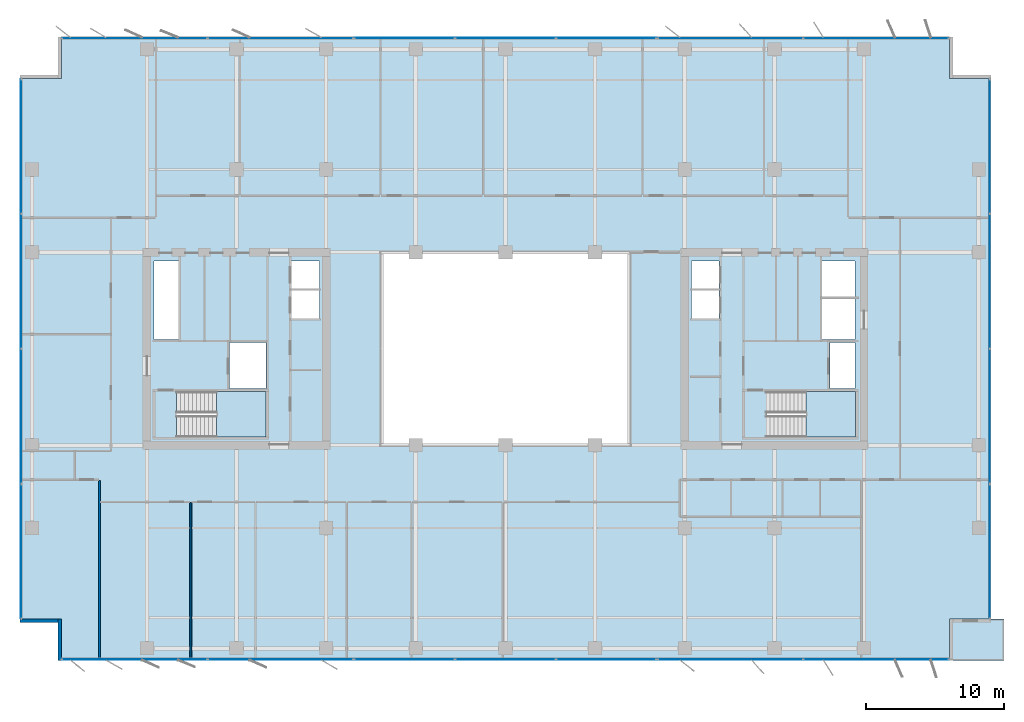
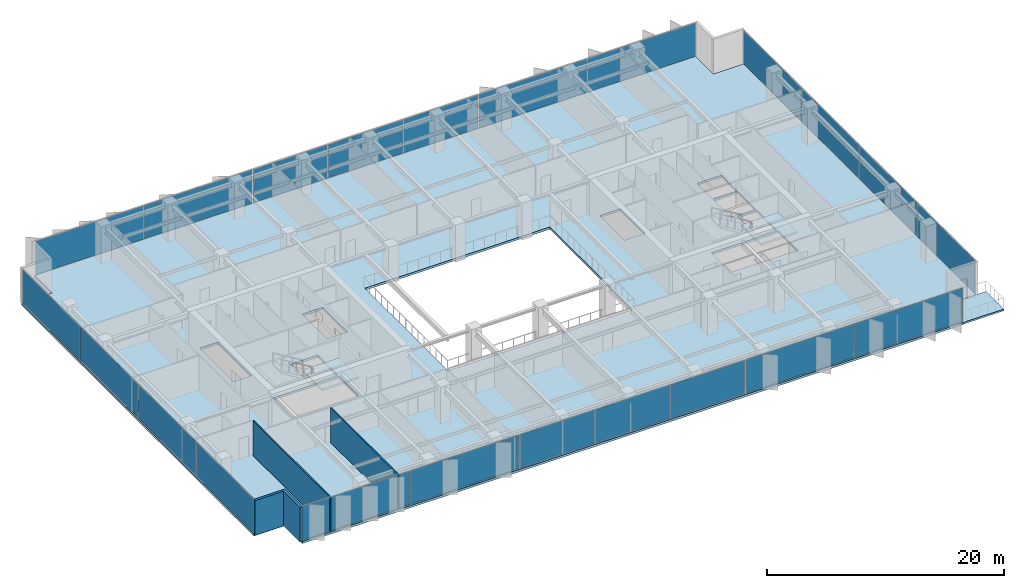
# One storey, part 14 of 22: 22 plates, 4 slabs, 4 walls, 10 elements without a shape of their own.
"""IFC4 building model written with IfcOpenShell, lengths in metres."""

from ifc_helpers import new_model, si_unit, direction, frame, frame_2d, origin, origin_2d, place, context, subcontext, project, spatial, polyline, rectangle, outline, extrude, material, layer, layer_set, type_object, element, aggregate, save


model = new_model("IFC4")

# Units and contexts
model_context = context("Model", 3, precision=1e-05, world=origin(), true_north=direction((0.0, 1.0)))
body_context = subcontext(model_context, "Body", "Model", "MODEL_VIEW")
ifc_project = project(units=[si_unit("LENGTHUNIT", "METRE"), si_unit("AREAUNIT", "SQUARE_METRE"), si_unit("VOLUMEUNIT", "CUBIC_METRE"), si_unit("PLANEANGLEUNIT", "RADIAN"), si_unit("MASSUNIT", "GRAM", prefix="KILO")], contexts=[model_context])

# Site, building, storey
site_placement = place(None, origin())
site = spatial("IfcSite", under=ifc_project, at=site_placement, CompositionType="ELEMENT")
building_placement = place(site_placement, origin())
building = spatial("IfcBuilding", under=site, at=building_placement, Name="Putna Gate Headquarters", CompositionType="ELEMENT")
storey_placement = place(building_placement, frame((0.0, 0.0, 178.39990234375)))
storey = spatial("IfcBuildingStorey", under=building, at=storey_placement, Name="L44", CompositionType="ELEMENT", Elevation=178.39990234375)

# Stair, slab
ifc_material_1 = material(Name="Concrete C40/50", Category="concrete")
stair_type_1 = type_object("IfcStairType", Name="STAIR-ST1", PredefinedType="HALF_TURN_STAIR", material=ifc_material_1)
stair_1_placement = place(storey_placement, origin())
stair_1 = element("IfcStair", 1, at=stair_1_placement, inside=storey, type_object=stair_type_1, Name="L44 West Core Exit Stair ST1", PredefinedType="HALF_TURN_STAIR")
ifc_layer_1 = layer(ifc_material_1, 0.199951171875)
ifc_layer_set_1 = layer_set([ifc_layer_1], Name="Concrete C40/50")
slab_type_1 = type_object("IfcSlabType", Name="LANDING-ST1", PredefinedType="LANDING", material=ifc_layer_set_1)
slab_1_placement = place(storey_placement, frame((0.0, 0.0, 1.7001953125)))
slab_1 = element("IfcSlab", 2, at=slab_1_placement, type_object=slab_type_1, Name="ST1 landing 1", PredefinedType="LANDING", context=body_context, shape_type="SweptSolid", body=[
    extrude(outline(polyline([(18.050048828125, 19.60009765625), (21.64990234375, 19.60009765625), (21.64990234375, 22.89990234375), (18.050048828125, 22.89990234375), (18.050048828125, 19.60009765625)])), origin(), (0.0, 0.0, 1.0), 0.199951171875),
])
aggregate(stair_1, [slab_1])

stair_type_2 = type_object("IfcStairType", Name="STAIR-ST2", PredefinedType="HALF_TURN_STAIR", material=ifc_material_1)
stair_2_placement = place(storey_placement, origin())
stair_2 = element("IfcStair", 3, at=stair_2_placement, inside=storey, type_object=stair_type_2, Name="L44 East Core Exit Stair ST2", PredefinedType="HALF_TURN_STAIR")
ifc_layer_2 = layer(ifc_material_1, 0.199951171875)
ifc_layer_set_2 = layer_set([ifc_layer_2], Name="Concrete C40/50")
slab_type_2 = type_object("IfcSlabType", Name="LANDING-ST2", PredefinedType="LANDING", material=ifc_layer_set_2)
slab_2_placement = place(storey_placement, frame((0.0, 0.0, 1.7001953125)))
slab_2 = element("IfcSlab", 4, at=slab_2_placement, type_object=slab_type_2, Name="ST2 landing 1", PredefinedType="LANDING", context=body_context, shape_type="SweptSolid", body=[
    extrude(outline(polyline([(60.800048828125, 19.60009765625), (64.39990234375, 19.60009765625), (64.39990234375, 22.89990234375), (60.800048828125, 22.89990234375), (60.800048828125, 19.60009765625)])), origin(), (0.0, 0.0, 1.0), 0.199951171875),
])
aggregate(stair_2, [slab_2])

# Curtain wall, plates
ifc_material_2 = material(Name="Anodised bronze aluminium curtain wall", Category="aluminium")
ifc_layer_3 = layer(ifc_material_2, 0.159912109375)
ifc_layer_set_3 = layer_set([ifc_layer_3], Name="Anodised bronze aluminium curtain wall")
curtain_wall_type_1 = type_object("IfcCurtainWallType", Name="CW-SYS-Z3", PredefinedType="USERDEFINED", material=ifc_layer_set_3)
curtain_wall_1_placement = place(storey_placement, origin())
curtain_wall_1 = element("IfcCurtainWall", 5, at=curtain_wall_1_placement, inside=storey, type_object=curtain_wall_type_1, Name="L44 South West Curtain Wall", ObjectType="STICK CURTAIN WALL", PredefinedType="USERDEFINED")
ifc_material_3 = material(Name="Solar-control triple low-E glass", Category="glass")
ifc_layer_4 = layer(ifc_material_3, 0.028076171875)
ifc_layer_set_4 = layer_set([ifc_layer_4], Name="Solar-control triple low-E glass")
plate_type_1 = type_object("IfcPlateType", Name="PAN-CWP-3", PredefinedType="CURTAIN_PANEL", material=ifc_layer_set_4)
plate_1_placement = place(storey_placement, frame((12.1162109375, 3.47998046875, 0.06005859375), z_axis=(0.0, 0.0, 1.0), x_axis=(1.0, 0.0, 0.0)))
plate_1 = element("IfcPlate", 6, at=plate_1_placement, type_object=plate_type_1, Name="CWS-3 panel 1.1", PredefinedType="CURTAIN_PANEL", context=body_context, shape_type="SweptSolid", body=[
    extrude(rectangle(XDim=10.50244140625, YDim=0.028076171875, at=origin_2d()), origin(), (0.0, 0.0, 1.0), 3.451904296875),
])
plate_2_placement = place(storey_placement, frame((22.683837890625, 3.47998046875, 0.06005859375), z_axis=(0.0, 0.0, 1.0), x_axis=(1.0, 0.0, 0.0)))
plate_2 = element("IfcPlate", 7, at=plate_2_placement, type_object=plate_type_1, Name="CWS-3 panel 2.1", PredefinedType="CURTAIN_PANEL", context=body_context, shape_type="SweptSolid", body=[
    extrude(rectangle(XDim=10.50244140625, YDim=0.028076171875, at=origin_2d()), origin(), (0.0, 0.0, 1.0), 3.451904296875),
])
aggregate(curtain_wall_1, [plate_1, plate_2])

curtain_wall_2_placement = place(storey_placement, origin())
curtain_wall_2 = element("IfcCurtainWall", 8, at=curtain_wall_2_placement, inside=storey, type_object=curtain_wall_type_1, Name="L44 South East Curtain Wall", ObjectType="STICK CURTAIN WALL", PredefinedType="USERDEFINED")
plate_3_placement = place(storey_placement, frame((55.316162109375, 3.47998046875, 0.06005859375), z_axis=(0.0, 0.0, 1.0), x_axis=(1.0, 0.0, 0.0)))
plate_3 = element("IfcPlate", 9, at=plate_3_placement, type_object=plate_type_1, Name="CWS-3 panel 1.1", PredefinedType="CURTAIN_PANEL", context=body_context, shape_type="SweptSolid", body=[
    extrude(rectangle(XDim=10.50244140625, YDim=0.028076171875, at=origin_2d()), origin(), (0.0, 0.0, 1.0), 3.451904296875),
])
plate_4_placement = place(storey_placement, frame((65.8837890625, 3.47998046875, 0.06005859375), z_axis=(0.0, 0.0, 1.0), x_axis=(1.0, 0.0, 0.0)))
plate_4 = element("IfcPlate", 10, at=plate_4_placement, type_object=plate_type_1, Name="CWS-3 panel 2.1", PredefinedType="CURTAIN_PANEL", context=body_context, shape_type="SweptSolid", body=[
    extrude(rectangle(XDim=10.50244140625, YDim=0.028076171875, at=origin_2d()), origin(), (0.0, 0.0, 1.0), 3.451904296875),
])
aggregate(curtain_wall_2, [plate_3, plate_4])

curtain_wall_3_placement = place(storey_placement, origin())
curtain_wall_3 = element("IfcCurtainWall", 11, at=curtain_wall_3_placement, inside=storey, type_object=curtain_wall_type_1, Name="L44 North West Curtain Wall", ObjectType="STICK CURTAIN WALL", PredefinedType="USERDEFINED")
plate_5_placement = place(storey_placement, frame((12.1162109375, 48.52001953125, 0.06005859375), z_axis=(0.0, 0.0, 1.0), x_axis=(1.0, 0.0, 0.0)))
plate_5 = element("IfcPlate", 12, at=plate_5_placement, type_object=plate_type_1, Name="CWS-3 panel 1.1", PredefinedType="CURTAIN_PANEL", context=body_context, shape_type="SweptSolid", body=[
    extrude(rectangle(XDim=10.50244140625, YDim=0.028076171875, at=origin_2d()), origin(), (0.0, 0.0, 1.0), 3.451904296875),
])
plate_6_placement = place(storey_placement, frame((22.683837890625, 48.52001953125, 0.06005859375), z_axis=(0.0, 0.0, 1.0), x_axis=(1.0, 0.0, 0.0)))
plate_6 = element("IfcPlate", 13, at=plate_6_placement, type_object=plate_type_1, Name="CWS-3 panel 2.1", PredefinedType="CURTAIN_PANEL", context=body_context, shape_type="SweptSolid", body=[
    extrude(rectangle(XDim=10.50244140625, YDim=0.028076171875, at=origin_2d()), origin(), (0.0, 0.0, 1.0), 3.451904296875),
])
aggregate(curtain_wall_3, [plate_5, plate_6])

curtain_wall_4_placement = place(storey_placement, origin())
curtain_wall_4 = element("IfcCurtainWall", 14, at=curtain_wall_4_placement, inside=storey, type_object=curtain_wall_type_1, Name="L44 North East Curtain Wall", ObjectType="STICK CURTAIN WALL", PredefinedType="USERDEFINED")
plate_7_placement = place(storey_placement, frame((55.316162109375, 48.52001953125, 0.06005859375), z_axis=(0.0, 0.0, 1.0), x_axis=(1.0, 0.0, 0.0)))
plate_7 = element("IfcPlate", 15, at=plate_7_placement, type_object=plate_type_1, Name="CWS-3 panel 1.1", PredefinedType="CURTAIN_PANEL", context=body_context, shape_type="SweptSolid", body=[
    extrude(rectangle(XDim=10.50244140625, YDim=0.028076171875, at=origin_2d()), origin(), (0.0, 0.0, 1.0), 3.451904296875),
])
plate_8_placement = place(storey_placement, frame((65.8837890625, 48.52001953125, 0.06005859375), z_axis=(0.0, 0.0, 1.0), x_axis=(1.0, 0.0, 0.0)))
plate_8 = element("IfcPlate", 16, at=plate_8_placement, type_object=plate_type_1, Name="CWS-3 panel 2.1", PredefinedType="CURTAIN_PANEL", context=body_context, shape_type="SweptSolid", body=[
    extrude(rectangle(XDim=10.50244140625, YDim=0.028076171875, at=origin_2d()), origin(), (0.0, 0.0, 1.0), 3.451904296875),
])
aggregate(curtain_wall_4, [plate_7, plate_8])

curtain_wall_5_placement = place(storey_placement, origin())
curtain_wall_5 = element("IfcCurtainWall", 17, at=curtain_wall_5_placement, inside=storey, type_object=curtain_wall_type_1, Name="L44 West Curtain Wall", ObjectType="STICK CURTAIN WALL", PredefinedType="USERDEFINED")
plate_9_placement = place(storey_placement, frame((3.8798828125, 11.316162109375, 0.06005859375), z_axis=(0.0, 0.0, 1.0), x_axis=(0.0, 1.0, 0.0)))
plate_9 = element("IfcPlate", 18, at=plate_9_placement, type_object=plate_type_1, Name="CWS-3 panel 1.1", PredefinedType="CURTAIN_PANEL", context=body_context, shape_type="SweptSolid", body=[
    extrude(rectangle(XDim=9.702392578125, YDim=0.028076171875, at=origin_2d()), origin(), (0.0, 0.0, 1.0), 3.451904296875),
])
plate_10_placement = place(storey_placement, frame((3.8798828125, 21.10009765625, 0.06005859375), z_axis=(0.0, 0.0, 1.0), x_axis=(0.0, 1.0, 0.0)))
plate_10 = element("IfcPlate", 19, at=plate_10_placement, type_object=plate_type_1, Name="CWS-3 panel 2.1", PredefinedType="CURTAIN_PANEL", context=body_context, shape_type="SweptSolid", body=[
    extrude(rectangle(XDim=9.735107421875, YDim=0.028076171875, at=origin_2d()), origin(), (0.0, 0.0, 1.0), 3.451904296875),
])
plate_11_placement = place(storey_placement, frame((3.8798828125, 30.89990234375, 0.06005859375), z_axis=(0.0, 0.0, 1.0), x_axis=(0.0, 1.0, 0.0)))
plate_11 = element("IfcPlate", 20, at=plate_11_placement, type_object=plate_type_1, Name="CWS-3 panel 3.1", PredefinedType="CURTAIN_PANEL", context=body_context, shape_type="SweptSolid", body=[
    extrude(rectangle(XDim=9.735107421875, YDim=0.028076171875, at=origin_2d()), origin(), (0.0, 0.0, 1.0), 3.451904296875),
])
plate_12_placement = place(storey_placement, frame((3.8798828125, 40.683837890625, 0.06005859375), z_axis=(0.0, 0.0, 1.0), x_axis=(0.0, 1.0, 0.0)))
plate_12 = element("IfcPlate", 21, at=plate_12_placement, type_object=plate_type_1, Name="CWS-3 panel 4.1", PredefinedType="CURTAIN_PANEL", context=body_context, shape_type="SweptSolid", body=[
    extrude(rectangle(XDim=9.702392578125, YDim=0.028076171875, at=origin_2d()), origin(), (0.0, 0.0, 1.0), 3.451904296875),
])
aggregate(curtain_wall_5, [plate_9, plate_10, plate_11, plate_12])

curtain_wall_6_placement = place(storey_placement, origin())
curtain_wall_6 = element("IfcCurtainWall", 22, at=curtain_wall_6_placement, inside=storey, type_object=curtain_wall_type_1, Name="L44 East Curtain Wall", ObjectType="STICK CURTAIN WALL", PredefinedType="USERDEFINED")
plate_13_placement = place(storey_placement, frame((74.1201171875, 11.316162109375, 0.06005859375), z_axis=(0.0, 0.0, 1.0), x_axis=(0.0, 1.0, 0.0)))
plate_13 = element("IfcPlate", 23, at=plate_13_placement, type_object=plate_type_1, Name="CWS-3 panel 1.1", PredefinedType="CURTAIN_PANEL", context=body_context, shape_type="SweptSolid", body=[
    extrude(rectangle(XDim=9.702392578125, YDim=0.028076171875, at=origin_2d()), origin(), (0.0, 0.0, 1.0), 3.451904296875),
])
plate_14_placement = place(storey_placement, frame((74.1201171875, 21.10009765625, 0.06005859375), z_axis=(0.0, 0.0, 1.0), x_axis=(0.0, 1.0, 0.0)))
plate_14 = element("IfcPlate", 24, at=plate_14_placement, type_object=plate_type_1, Name="CWS-3 panel 2.1", PredefinedType="CURTAIN_PANEL", context=body_context, shape_type="SweptSolid", body=[
    extrude(rectangle(XDim=9.735107421875, YDim=0.028076171875, at=origin_2d()), origin(), (0.0, 0.0, 1.0), 3.451904296875),
])
plate_15_placement = place(storey_placement, frame((74.1201171875, 30.89990234375, 0.06005859375), z_axis=(0.0, 0.0, 1.0), x_axis=(0.0, 1.0, 0.0)))
plate_15 = element("IfcPlate", 25, at=plate_15_placement, type_object=plate_type_1, Name="CWS-3 panel 3.1", PredefinedType="CURTAIN_PANEL", context=body_context, shape_type="SweptSolid", body=[
    extrude(rectangle(XDim=9.735107421875, YDim=0.028076171875, at=origin_2d()), origin(), (0.0, 0.0, 1.0), 3.451904296875),
])
plate_16_placement = place(storey_placement, frame((74.1201171875, 40.683837890625, 0.06005859375), z_axis=(0.0, 0.0, 1.0), x_axis=(0.0, 1.0, 0.0)))
plate_16 = element("IfcPlate", 26, at=plate_16_placement, type_object=plate_type_1, Name="CWS-3 panel 4.1", PredefinedType="CURTAIN_PANEL", context=body_context, shape_type="SweptSolid", body=[
    extrude(rectangle(XDim=9.702392578125, YDim=0.028076171875, at=origin_2d()), origin(), (0.0, 0.0, 1.0), 3.451904296875),
])
aggregate(curtain_wall_6, [plate_13, plate_14, plate_15, plate_16])

ifc_layer_5 = layer(ifc_material_2, 0.179931640625)
ifc_layer_set_5 = layer_set([ifc_layer_5], Name="Anodised bronze aluminium curtain wall")
curtain_wall_type_2 = type_object("IfcCurtainWallType", Name="CW-SYS-ATR", PredefinedType="USERDEFINED", material=ifc_layer_set_5)
curtain_wall_7_placement = place(storey_placement, origin())
curtain_wall_7 = element("IfcCurtainWall", 27, at=curtain_wall_7_placement, inside=storey, type_object=curtain_wall_type_2, Name="L44 South Atrium Clear Glazing", ObjectType="ATRIUM GLAZING", PredefinedType="USERDEFINED")
ifc_material_4 = material(Name="Clear low-iron triple glazing", Category="glass")
ifc_layer_6 = layer(ifc_material_4, 0.0400390625)
ifc_layer_set_6 = layer_set([ifc_layer_6], Name="Clear low-iron triple glazing")
plate_type_2 = type_object("IfcPlateType", Name="PAN-CWP-AT", PredefinedType="CURTAIN_PANEL", material=ifc_layer_set_6)
plate_17_placement = place(storey_placement, frame((31.68408203125, 3.47998046875, 0.0703125), z_axis=(0.0, 0.0, 1.0), x_axis=(1.0, 0.0, 0.0)))
plate_17 = element("IfcPlate", 28, at=plate_17_placement, type_object=plate_type_2, Name="CWS-AT panel 1.1", PredefinedType="CURTAIN_PANEL", context=body_context, shape_type="SweptSolid", body=[
    extrude(rectangle(XDim=7.228271484375, YDim=0.0400390625, at=origin_2d()), origin(), (0.0, 0.0, 1.0), 3.431884765625),
])
plate_18_placement = place(storey_placement, frame((39.0, 3.47998046875, 0.0703125), z_axis=(0.0, 0.0, 1.0), x_axis=(1.0, 0.0, 0.0)))
plate_18 = element("IfcPlate", 29, at=plate_18_placement, type_object=plate_type_2, Name="CWS-AT panel 2.1", PredefinedType="CURTAIN_PANEL", context=body_context, shape_type="SweptSolid", body=[
    extrude(rectangle(XDim=7.263427734375, YDim=0.0400390625, at=origin_2d()), origin(), (0.0, 0.0, 1.0), 3.431884765625),
])
plate_19_placement = place(storey_placement, frame((46.31591796875, 3.47998046875, 0.0703125), z_axis=(0.0, 0.0, 1.0), x_axis=(1.0, 0.0, 0.0)))
plate_19 = element("IfcPlate", 30, at=plate_19_placement, type_object=plate_type_2, Name="CWS-AT panel 3.1", PredefinedType="CURTAIN_PANEL", context=body_context, shape_type="SweptSolid", body=[
    extrude(rectangle(XDim=7.228271484375, YDim=0.0400390625, at=origin_2d()), origin(), (0.0, 0.0, 1.0), 3.431884765625),
])
aggregate(curtain_wall_7, [plate_17, plate_18, plate_19])

curtain_wall_8_placement = place(storey_placement, origin())
curtain_wall_8 = element("IfcCurtainWall", 31, at=curtain_wall_8_placement, inside=storey, type_object=curtain_wall_type_2, Name="L44 North Atrium Clear Glazing", ObjectType="ATRIUM GLAZING", PredefinedType="USERDEFINED")
plate_20_placement = place(storey_placement, frame((31.68408203125, 48.52001953125, 0.0703125), z_axis=(0.0, 0.0, 1.0), x_axis=(1.0, 0.0, 0.0)))
plate_20 = element("IfcPlate", 32, at=plate_20_placement, type_object=plate_type_2, Name="CWS-AT panel 1.1", PredefinedType="CURTAIN_PANEL", context=body_context, shape_type="SweptSolid", body=[
    extrude(rectangle(XDim=7.228271484375, YDim=0.0400390625, at=origin_2d()), origin(), (0.0, 0.0, 1.0), 3.431884765625),
])
plate_21_placement = place(storey_placement, frame((39.0, 48.52001953125, 0.0703125), z_axis=(0.0, 0.0, 1.0), x_axis=(1.0, 0.0, 0.0)))
plate_21 = element("IfcPlate", 33, at=plate_21_placement, type_object=plate_type_2, Name="CWS-AT panel 2.1", PredefinedType="CURTAIN_PANEL", context=body_context, shape_type="SweptSolid", body=[
    extrude(rectangle(XDim=7.263427734375, YDim=0.0400390625, at=origin_2d()), origin(), (0.0, 0.0, 1.0), 3.431884765625),
])
plate_22_placement = place(storey_placement, frame((46.31591796875, 48.52001953125, 0.0703125), z_axis=(0.0, 0.0, 1.0), x_axis=(1.0, 0.0, 0.0)))
plate_22 = element("IfcPlate", 34, at=plate_22_placement, type_object=plate_type_2, Name="CWS-AT panel 3.1", PredefinedType="CURTAIN_PANEL", context=body_context, shape_type="SweptSolid", body=[
    extrude(rectangle(XDim=7.228271484375, YDim=0.0400390625, at=origin_2d()), origin(), (0.0, 0.0, 1.0), 3.431884765625),
])
aggregate(curtain_wall_8, [plate_20, plate_21, plate_22])

# Slabs
ifc_layer_7 = layer(ifc_material_1, 0.179931640625)
ifc_layer_set_7 = layer_set([ifc_layer_7], Name="Concrete C40/50")
slab_type_3 = type_object("IfcSlabType", Name="SLAB-TERRACE-180", PredefinedType="FLOOR", material=ifc_layer_set_7)
slab_3_placement = place(storey_placement, frame((0.0, 0.0, -0.179931640625)))
element("IfcSlab", 35, at=slab_3_placement, inside=storey, type_object=slab_type_3, Name="L44 Spiral Sky-Garden Terrace Slab (SE)", PredefinedType="FLOOR", context=body_context, shape_type="SweptSolid", body=[
    extrude(outline(polyline([(71.19189453125, 3.39990234375), (75.14990234375, 3.39990234375), (75.14990234375, 6.407958984375), (71.19189453125, 6.407958984375), (71.19189453125, 3.39990234375)])), origin(), (0.0, 0.0, 1.0), 0.179931640625),
])
ifc_layer_8 = layer(ifc_material_1, 0.22802734375)
ifc_layer_set_8 = layer_set([ifc_layer_8], Name="Concrete C40/50")
slab_type_4 = type_object("IfcSlabType", Name="SLAB-Z3-228", PredefinedType="FLOOR", material=ifc_layer_set_8)
slab_4_placement = place(storey_placement, frame((0.0, 0.0, -0.227783203125)))
element("IfcSlab", 36, at=slab_4_placement, inside=storey, type_object=slab_type_4, Name="L44 Composite Floor Slab", PredefinedType="FLOOR", context=body_context, shape_type="SweptSolid", body=[
    extrude(outline(polyline([(6.800048828125, 3.39990234375), (71.199951171875, 3.39990234375), (71.199951171875, 6.39990234375), (74.199951171875, 6.39990234375), (74.199951171875, 45.60009765625), (71.199951171875, 45.60009765625), (71.199951171875, 48.60009765625), (6.800048828125, 48.60009765625), (6.800048828125, 45.60009765625), (3.800048828125, 45.60009765625), (3.800048828125, 6.39990234375), (6.800048828125, 6.39990234375), (6.800048828125, 3.39990234375)]), holes=[polyline([(15.1650390625, 19.60009765625), (21.64990234375, 19.60009765625), (21.64990234375, 22.89990234375), (15.1650390625, 22.89990234375), (15.1650390625, 19.60009765625)]), polyline([(57.9150390625, 19.60009765625), (64.39990234375, 19.60009765625), (64.39990234375, 22.89990234375), (57.9150390625, 22.89990234375), (57.9150390625, 19.60009765625)]), polyline([(13.52001953125, 26.659912109375), (15.280029296875, 26.659912109375), (15.280029296875, 32.35009765625), (13.52001953125, 32.35009765625), (13.52001953125, 26.659912109375)]), polyline([(61.969970703125, 29.780029296875), (64.35009765625, 29.780029296875), (64.35009765625, 32.35009765625), (61.969970703125, 32.35009765625), (61.969970703125, 29.780029296875)]), polyline([(18.97998046875, 23.1201171875), (21.6201171875, 23.1201171875), (21.6201171875, 26.4599609375), (18.97998046875, 26.4599609375), (18.97998046875, 23.1201171875)]), polyline([(62.52001953125, 23.1201171875), (64.35009765625, 23.1201171875), (64.35009765625, 26.4599609375), (62.52001953125, 26.4599609375), (62.52001953125, 23.1201171875)]), polyline([(61.969970703125, 26.659912109375), (64.35009765625, 26.659912109375), (64.35009765625, 29.6201171875), (61.969970703125, 29.6201171875), (61.969970703125, 26.659912109375)]), polyline([(23.5, 28.199951171875), (25.5, 28.199951171875), (25.5, 32.35009765625), (23.5, 32.35009765625), (23.5, 28.199951171875)]), polyline([(52.47998046875, 28.199951171875), (54.5, 28.199951171875), (54.5, 32.35009765625), (52.47998046875, 32.35009765625), (52.47998046875, 28.199951171875)]), polyline([(30.0, 19.0), (48.0, 19.0), (48.0, 33.0), (30.0, 33.0), (30.0, 19.0)])]), origin(), (0.0, 0.0, 1.0), 0.227783203125),
])

# Walls
ifc_material_5 = material(Name="Precast concrete C40/50", Category="concrete")
ifc_layer_9 = layer(ifc_material_5, 0.239990234375)
ifc_layer_set_9 = layer_set([ifc_layer_9], Name="Precast concrete C40/50")
wall_type_1 = type_object("IfcWallType", Name="WALL-EXT-TERR-240", PredefinedType="STANDARD", material=ifc_layer_set_9)
for number, where, z_axis, x_axis, name in (
    (37, (6.679931640625, 3.39990234375, 0.0), (0.0, 0.0, 1.0), (0.0, 1.0, 0.0), "L44 Corner Notch Return Wall SW-V"),
    (38, (6.800048828125, 6.280029296875, 0.0), (0.0, 0.0, 1.0), (-1.0, 0.0, 0.0), "L44 Corner Notch Return Wall SW-H"),
):
    element("IfcWall", number, at=place(storey_placement, frame(where, z_axis=z_axis, x_axis=x_axis)), inside=storey, type_object=wall_type_1, Name=name, PredefinedType="STANDARD", context=body_context, shape_type="SweptSolid", body=[
        extrude(rectangle(XDim=3.0, YDim=0.239990234375, at=frame_2d((1.5, 0.0))), origin(), (0.0, 0.0, 1.0), 3.572021484375),
    ])
ifc_material_6 = material(Name="Acoustic gypsum board on metal stud")
ifc_layer_10 = layer(ifc_material_6, 0.1201171875)
ifc_layer_set_10 = layer_set([ifc_layer_10], Name="Acoustic gypsum board on metal stud")
wall_type_2 = type_object("IfcWallType", Name="WALL-PART-120", PredefinedType="PARTITIONING", material=ifc_layer_set_10)
wall_1_placement = place(storey_placement, frame((9.56494140625, 3.419921875, 0.0), z_axis=(0.0, 0.0, 1.0), x_axis=(0.0, 1.0, 0.0)))
element("IfcWall", 39, at=wall_1_placement, inside=storey, type_object=wall_type_2, Name="L44 Interior Wall PART-L44-SB-DIV-01", PredefinedType="PARTITIONING", context=body_context, shape_type="SweptSolid", body=[
    extrude(rectangle(XDim=13.02001953125, YDim=0.1201171875, at=frame_2d((6.510009765625, 0.0))), origin(), (0.0, 0.0, 1.0), 3.572021484375),
])
wall_2_placement = place(storey_placement, frame((16.18408203125, 3.419921875, 0.0), z_axis=(0.0, 0.0, 1.0), x_axis=(0.0, 1.0, 0.0)))
element("IfcWall", 40, at=wall_2_placement, inside=storey, type_object=wall_type_2, Name="L44 Interior Wall PART-L44-SB-DIV-02", PredefinedType="PARTITIONING", context=body_context, shape_type="SweptSolid", body=[
    extrude(rectangle(XDim=11.420166015625, YDim=0.1201171875, at=frame_2d((5.7099609375, 0.0))), origin(), (0.0, 0.0, 1.0), 3.572021484375),
])

save(model, "model.ifc")
